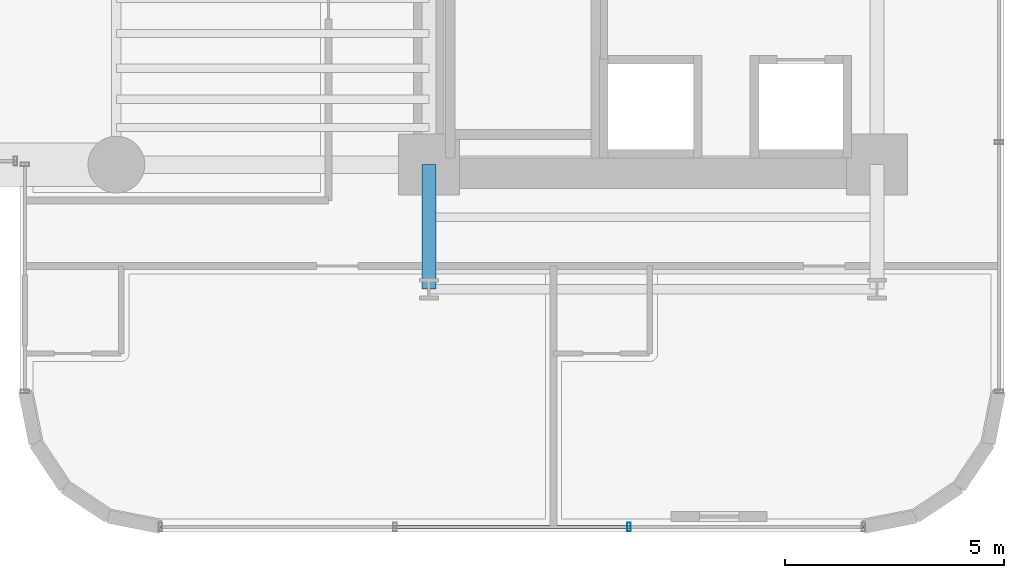
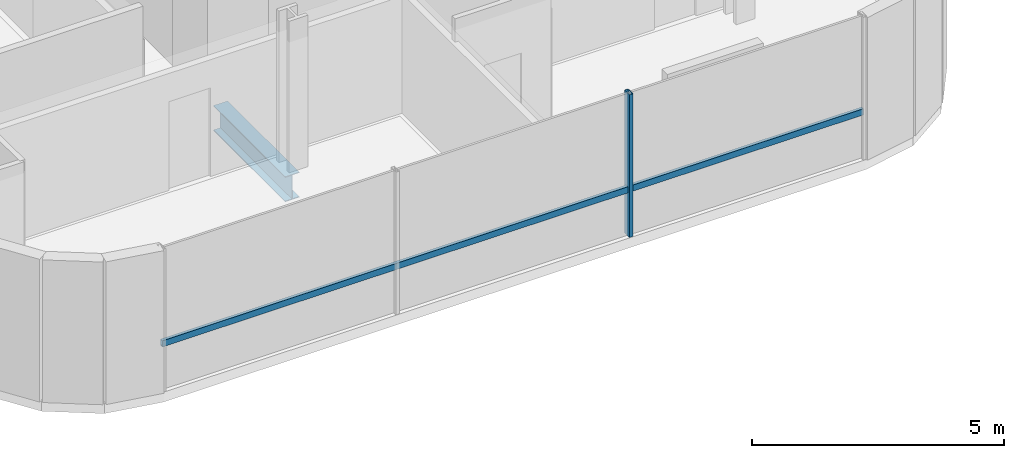
# One storey, part 3 of 40: 2 members, 1 beam, 1 element without a shape of its own.
"""IFC4 building model written with IfcOpenShell, lengths in metres."""

from ifc_helpers import new_model, si_unit, direction, frame, origin, origin_2d, place, context, subcontext, project, spatial, hollow_rectangle, i_section, extrude, source, transform, mapped, material, material_profile, profile_set, type_object, element, aggregate, save


model = new_model("IFC4")

# Units and contexts
model_context = context("Model", 3, precision=1e-05, world=origin(), true_north=direction((0.0, 1.0)))
body_context = subcontext(model_context, "Body", "Model", "MODEL_VIEW")
ifc_project = project(units=[si_unit("LENGTHUNIT", "METRE"), si_unit("AREAUNIT", "SQUARE_METRE"), si_unit("VOLUMEUNIT", "CUBIC_METRE"), si_unit("PLANEANGLEUNIT", "RADIAN"), si_unit("MASSUNIT", "GRAM", prefix="KILO")], contexts=[model_context])

# Site, building, storey
site_placement = place(None, origin())
site = spatial("IfcSite", under=ifc_project, at=site_placement, CompositionType="ELEMENT")
building_placement = place(site_placement, origin())
building = spatial("IfcBuilding", under=site, at=building_placement, Name="Valdorenza Pilgrim Sanctuary Tower", CompositionType="ELEMENT")
storey_placement = place(building_placement, frame((0.0, 0.0, 66.699951171875)))
storey = spatial("IfcBuildingStorey", under=building, at=storey_placement, Name="L16", CompositionType="ELEMENT", Elevation=66.699951171875)

# Beam
ifc_material_1 = material(Name="Steel ASTM A992 Grade 50", Category="steel")
ifc_material_profile_1 = material_profile(ifc_material_1, i_section(OverallWidth=0.323974609375, OverallDepth=0.611083984375, WebThickness=0.0126953125, FlangeThickness=0.01904296875, at=origin_2d()), Name="W24X104")
ifc_profile_set_1 = profile_set([ifc_material_profile_1], Name="Steel ASTM A992 Grade 50")
beam_type = type_object("IfcBeamType", Name="STR-BM-GRD-W24B", PredefinedType="BEAM", material=ifc_profile_set_1)
shared_shape_1 = source(origin(), body_context, "Body", "SweptSolid", [
    extrude(i_section(OverallWidth=0.323974609375, OverallDepth=0.611083984375, WebThickness=0.0126953125, FlangeThickness=0.01904296875, at=origin_2d()), origin(), (0.0, 0.0, 1.0), 2.849853515625),
])
beam_placement = place(storey_placement, frame((-22.64990234375, -13.449951171875, -0.54541015625), z_axis=(0.0, 1.0, 0.0), x_axis=(-1.0, 0.0, 0.0)))
element("IfcBeam", 1, at=beam_placement, inside=storey, type_object=beam_type, Name="L16 Floor Girder WA-S-LW", PredefinedType="BEAM", context=body_context, shape_type="MappedRepresentation", body=[
    mapped(shared_shape_1, transform((0.0, 0.0, 0.0), x_axis=(1.0, 0.0, 0.0), y_axis=(0.0, 1.0, 0.0), z_axis=(0.0, 0.0, 1.0), scale=1.0)),
])

# Curtain wall, members
ifc_material_2 = material(Name="Curtain-wall IGU glazing", Category="glass")
curtain_wall_type = type_object("IfcCurtainWallType", Name="CW-SYS-02", PredefinedType="NOTDEFINED", material=ifc_material_2)
curtain_wall_placement = place(storey_placement, origin())
curtain_wall = element("IfcCurtainWall", 2, at=curtain_wall_placement, inside=storey, type_object=curtain_wall_type, Name="L16 Curtain Wall CW-L16-1-46", PredefinedType="NOTDEFINED")
ifc_material_3 = material(Name="Anodised aluminium AW-6060", Category="aluminium")
ifc_material_profile_2 = material_profile(ifc_material_3, hollow_rectangle(XDim=0.0849609375, YDim=0.199951171875, WallThickness=0.0048828125, at=origin_2d()), Name="ALU-M 200x85x5")
ifc_profile_set_2 = profile_set([ifc_material_profile_2], Name="Anodised aluminium AW-6060")
member_type_1 = type_object("IfcMemberType", Name="CW-MUL-02", PredefinedType="MULLION", material=ifc_profile_set_2)
shared_shape_2 = source(origin(), body_context, "Body", "SweptSolid", [
    extrude(hollow_rectangle(XDim=0.0849609375, YDim=0.199951171875, WallThickness=0.0048828125, at=origin_2d()), origin(), (0.0, 0.0, 1.0), 3.4599609375),
])
member_1_placement = place(storey_placement, frame((-18.0703125, -18.889892578125, 0.0), z_axis=(0.0, 0.0, 1.0), x_axis=(-1.0, 0.0, 0.0)))
member_1 = element("IfcMember", 3, at=member_1_placement, type_object=member_type_1, Name="CW-L16-1-46 Mullion 2", PredefinedType="MULLION", context=body_context, shape_type="MappedRepresentation", body=[
    mapped(shared_shape_2, transform((0.0, 0.0, 0.0), x_axis=(1.0, 0.0, 0.0), y_axis=(0.0, 1.0, 0.0), z_axis=(0.0, 0.0, 1.0), scale=1.0)),
])
ifc_material_profile_3 = material_profile(ifc_material_3, hollow_rectangle(XDim=0.074951171875, YDim=0.14990234375, WallThickness=0.00390625, at=origin_2d()), Name="ALU-T 150x75x4")
ifc_profile_set_3 = profile_set([ifc_material_profile_3], Name="Anodised aluminium AW-6060")
member_type_2 = type_object("IfcMemberType", Name="CW-TRN-02", PredefinedType="USERDEFINED", material=ifc_profile_set_3)
shared_shape_3 = source(origin(), body_context, "Body", "SweptSolid", [
    extrude(hollow_rectangle(XDim=0.074951171875, YDim=0.14990234375, WallThickness=0.00390625, at=origin_2d()), origin(), (0.0, 0.0, 1.0), 16.07861328125),
])
member_2_placement = place(storey_placement, frame((-12.710693359375, -18.889892578125, 1.1201171875), z_axis=(-1.0, 0.0, 0.0), x_axis=(0.0, -1.0, 0.0)))
member_2 = element("IfcMember", 4, at=member_2_placement, type_object=member_type_2, Name="CW-L16-1-46 Transom 1", ObjectType="TRANSOM", PredefinedType="USERDEFINED", context=body_context, shape_type="MappedRepresentation", body=[
    mapped(shared_shape_3, transform((0.0, 0.0, 0.0), x_axis=(1.0, 0.0, 0.0), y_axis=(0.0, 1.0, 0.0), z_axis=(0.0, 0.0, 1.0), scale=1.0)),
])
aggregate(curtain_wall, [member_1, member_2])

save(model, "model.ifc")
